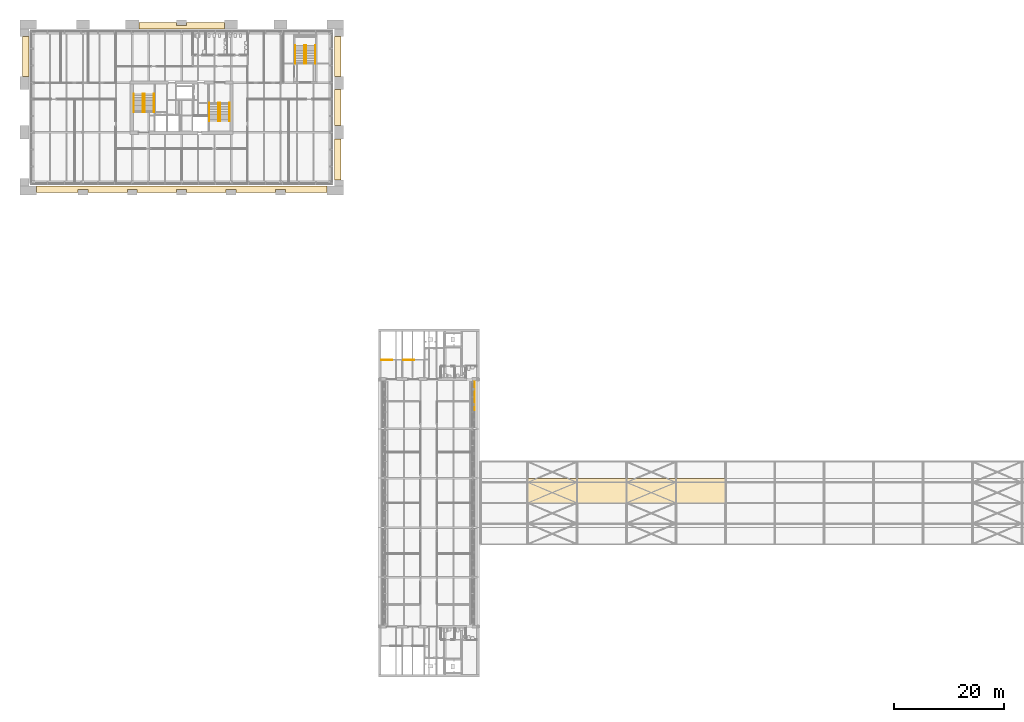
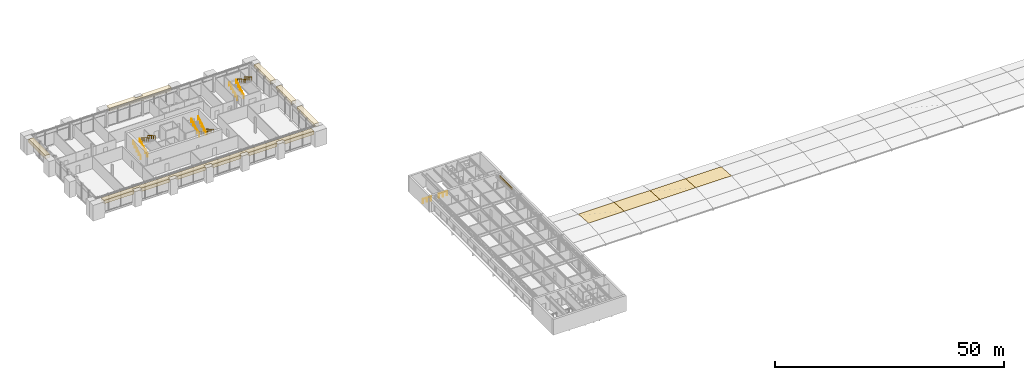
# One storey, part 39 of 43: 14 railings, 10 coverings, 2 shading devices.
"""IFC4 building model written with IfcOpenShell, lengths in metres."""

from ifc_helpers import new_model, si_unit, direction, frame, origin, origin_2d, place, context, subcontext, project, spatial, polyline, circle, outline, extrude, material, layer, layer_set, type_object, element, save


model = new_model("IFC4")

# Units and contexts
model_context = context("Model", 3, precision=1e-05, world=origin(), true_north=direction((0.0, 1.0)))
body_context = subcontext(model_context, "Body", "Model", "MODEL_VIEW")
ifc_project = project(units=[si_unit("LENGTHUNIT", "METRE"), si_unit("AREAUNIT", "SQUARE_METRE"), si_unit("VOLUMEUNIT", "CUBIC_METRE"), si_unit("PLANEANGLEUNIT", "RADIAN"), si_unit("MASSUNIT", "GRAM", prefix="KILO")], contexts=[model_context])

# Site, building, storey
site_placement = place(None, origin())
site = spatial("IfcSite", under=ifc_project, at=site_placement, CompositionType="ELEMENT")
building_placement = place(site_placement, origin())
building = spatial("IfcBuilding", under=site, at=building_placement, Name="Baradari Gate Terminus", CompositionType="ELEMENT")
storey_placement = place(building_placement, frame((0.0, 0.0, 20.10009765625)))
storey = spatial("IfcBuildingStorey", under=building, at=storey_placement, Name="L04", CompositionType="ELEMENT", Elevation=20.10009765625)

# Railings
ifc_material_1 = material(Name="Stainless steel 1.4301", Category="steel")
railing_type_1 = type_object("IfcRailingType", Name="Guard GR-1 1100", PredefinedType="GUARDRAIL", material=ifc_material_1)
for number, where, name in (
    (1, (72.35009765625, 84.550048828125, 0.0), "Stair guard ST-GN1 at L04 top landing"),
    (2, (76.35009765625, 84.550048828125, 0.0), "Stair guard ST-GN2 at L04 top landing"),
):
    element("IfcRailing", number, at=place(storey_placement, frame(where)), inside=storey, type_object=railing_type_1, Name=name, PredefinedType="GUARDRAIL", context=body_context, shape_type="SweptSolid", body=[
        extrude(circle(Radius=0.02392578125, at=origin_2d()), frame((0.0, 0.0, 1.076171875), z_axis=(1.0, 0.0, 0.0), x_axis=(0.0, 1.0, 0.0)), (0.0, 0.0, 1.0), 2.010009765625),
        extrude(circle(Radius=0.02099609375, at=origin_2d()), origin(), (0.0, 0.0, 1.0), 1.052001953125),
        extrude(circle(Radius=0.02099609375, at=origin_2d()), frame((1.0048828125, 0.0, 0.0)), (0.0, 0.0, 1.0), 1.052001953125),
        extrude(circle(Radius=0.02099609375, at=origin_2d()), frame((2.010009765625, 0.0, 0.0)), (0.0, 0.0, 1.0), 1.052001953125),
    ])
ifc_material_2 = material(Name="Stainless steel 1.4301", Category="steel")
railing_type_2 = type_object("IfcRailingType", Name="Handrail HR-1 900", PredefinedType="HANDRAIL", material=ifc_material_2)
for number, where, name in (
    (3, (27.284912109375, 129.675048828125, 0.1748046875), "Handrail ST-T1 L04 flight 1"),
    (4, (28.965087890625, 129.675048828125, 0.1748046875), "Handrail ST-T1 L04 flight 1"),
):
    element("IfcRailing", number, at=place(storey_placement, frame(where)), inside=storey, type_object=railing_type_2, Name=name, PredefinedType="HANDRAIL", context=body_context, shape_type="SweptSolid", body=[
        extrude(circle(Radius=0.02392578125, at=origin_2d()), frame((0.0, 0.0, 0.8759765625), z_axis=(0.0, 0.863776583165, 0.503874998761), x_axis=(-1.0, 0.0, 0.0)), (0.0, 0.0, 1.0), 3.820556640625),
        extrude(circle(Radius=0.02099609375, at=origin_2d()), origin(), (0.0, 0.0, 1.0), 0.851806640625),
        extrude(circle(Radius=0.02099609375, at=origin_2d()), frame((0.0, 0.824951171875, 0.481201171875)), (0.0, 0.0, 1.0), 0.851806640625),
        extrude(circle(Radius=0.02099609375, at=origin_2d()), frame((0.0, 1.64990234375, 0.96240234375)), (0.0, 0.0, 1.0), 0.851806640625),
        extrude(circle(Radius=0.02099609375, at=origin_2d()), frame((0.0, 2.47509765625, 1.44384765625)), (0.0, 0.0, 1.0), 0.851806640625),
        extrude(circle(Radius=0.02099609375, at=origin_2d()), frame((0.0, 3.300048828125, 1.925048828125)), (0.0, 0.0, 1.0), 0.851806640625),
    ])
for number, where, name in (
    (5, (29.284912109375, 132.97509765625, 2.27490234375), "Handrail ST-T1 L04 flight 2"),
    (6, (30.965087890625, 132.97509765625, 2.27490234375), "Handrail ST-T1 L04 flight 2"),
    (7, (44.715087890625, 131.324951171875, 0.1748046875), "Handrail ST-T2 L04 flight 1"),
    (8, (43.034912109375, 131.324951171875, 0.1748046875), "Handrail ST-T2 L04 flight 1"),
):
    element("IfcRailing", number, at=place(storey_placement, frame(where)), inside=storey, type_object=railing_type_2, Name=name, PredefinedType="HANDRAIL", context=body_context, shape_type="SweptSolid", body=[
        extrude(circle(Radius=0.02392578125, at=origin_2d()), frame((0.0, 0.0, 0.8759765625), z_axis=(0.0, -0.863776583165, 0.503874998761), x_axis=(1.0, 0.0, 0.0)), (0.0, 0.0, 1.0), 3.820556640625),
        extrude(circle(Radius=0.02099609375, at=origin_2d()), origin(), (0.0, 0.0, 1.0), 0.851806640625),
        extrude(circle(Radius=0.02099609375, at=origin_2d()), frame((0.0, -0.824951171875, 0.481201171875)), (0.0, 0.0, 1.0), 0.851806640625),
        extrude(circle(Radius=0.02099609375, at=origin_2d()), frame((0.0, -1.64990234375, 0.96240234375)), (0.0, 0.0, 1.0), 0.851806640625),
        extrude(circle(Radius=0.02099609375, at=origin_2d()), frame((0.0, -2.47509765625, 1.44384765625)), (0.0, 0.0, 1.0), 0.851806640625),
        extrude(circle(Radius=0.02099609375, at=origin_2d()), frame((0.0, -3.300048828125, 1.925048828125)), (0.0, 0.0, 1.0), 0.851806640625),
    ])
for number, where, name in (
    (9, (42.715087890625, 128.02490234375, 2.27490234375), "Handrail ST-T2 L04 flight 2"),
    (10, (41.034912109375, 128.02490234375, 2.27490234375), "Handrail ST-T2 L04 flight 2"),
    (11, (56.659912109375, 138.5, 0.1748046875), "Handrail ST-T3 L04 flight 1"),
    (12, (58.340087890625, 138.5, 0.1748046875), "Handrail ST-T3 L04 flight 1"),
):
    element("IfcRailing", number, at=place(storey_placement, frame(where)), inside=storey, type_object=railing_type_2, Name=name, PredefinedType="HANDRAIL", context=body_context, shape_type="SweptSolid", body=[
        extrude(circle(Radius=0.02392578125, at=origin_2d()), frame((0.0, 0.0, 0.8759765625), z_axis=(0.0, 0.863776583165, 0.503874998761), x_axis=(-1.0, 0.0, 0.0)), (0.0, 0.0, 1.0), 3.820556640625),
        extrude(circle(Radius=0.02099609375, at=origin_2d()), origin(), (0.0, 0.0, 1.0), 0.851806640625),
        extrude(circle(Radius=0.02099609375, at=origin_2d()), frame((0.0, 0.824951171875, 0.481201171875)), (0.0, 0.0, 1.0), 0.851806640625),
        extrude(circle(Radius=0.02099609375, at=origin_2d()), frame((0.0, 1.64990234375, 0.96240234375)), (0.0, 0.0, 1.0), 0.851806640625),
        extrude(circle(Radius=0.02099609375, at=origin_2d()), frame((0.0, 2.47509765625, 1.44384765625)), (0.0, 0.0, 1.0), 0.851806640625),
        extrude(circle(Radius=0.02099609375, at=origin_2d()), frame((0.0, 3.300048828125, 1.925048828125)), (0.0, 0.0, 1.0), 0.851806640625),
    ])
for number, where, name in (
    (13, (58.659912109375, 141.800048828125, 2.27490234375), "Handrail ST-T3 L04 flight 2"),
    (14, (60.340087890625, 141.800048828125, 2.27490234375), "Handrail ST-T3 L04 flight 2"),
):
    element("IfcRailing", number, at=place(storey_placement, frame(where)), inside=storey, type_object=railing_type_2, Name=name, PredefinedType="HANDRAIL", context=body_context, shape_type="SweptSolid", body=[
        extrude(circle(Radius=0.02392578125, at=origin_2d()), frame((0.0, 0.0, 0.8759765625), z_axis=(0.0, -0.863776583165, 0.503874998761), x_axis=(1.0, 0.0, 0.0)), (0.0, 0.0, 1.0), 3.820556640625),
        extrude(circle(Radius=0.02099609375, at=origin_2d()), origin(), (0.0, 0.0, 1.0), 0.851806640625),
        extrude(circle(Radius=0.02099609375, at=origin_2d()), frame((0.0, -0.824951171875, 0.481201171875)), (0.0, 0.0, 1.0), 0.851806640625),
        extrude(circle(Radius=0.02099609375, at=origin_2d()), frame((0.0, -1.64990234375, 0.96240234375)), (0.0, 0.0, 1.0), 0.851806640625),
        extrude(circle(Radius=0.02099609375, at=origin_2d()), frame((0.0, -2.47509765625, 1.44384765625)), (0.0, 0.0, 1.0), 0.851806640625),
        extrude(circle(Radius=0.02099609375, at=origin_2d()), frame((0.0, -3.300048828125, 1.925048828125)), (0.0, 0.0, 1.0), 0.851806640625),
    ])

# Shading devices
ifc_material_3 = material(Name="Concrete C50/60 precast", Category="concrete")
ifc_layer_1 = layer(ifc_material_3, 0.080078125)
ifc_layer_set_1 = layer_set([ifc_layer_1], Name="Concrete C50/60 precast")
shading_device_type = type_object("IfcShadingDeviceType", Name="Jali screen panel JS-3 80", PredefinedType="SHUTTER", material=ifc_layer_set_1)
shading_device_1_placement = place(storey_placement, frame((89.340087890625, 75.05322265625, 3.27978515625), z_axis=(0.0, 0.0, 1.0), x_axis=(0.0, 1.0, 0.0)))
element("IfcShadingDevice", 15, at=shading_device_1_placement, inside=storey, type_object=shading_device_type, Name="Jali screen panel JS-1 L04/GE5 bay 2", PredefinedType="SHUTTER", context=body_context, shape_type="SweptSolid", body=[
    extrude(outline(polyline([(0.0, 0.0), (2.743408203125, 0.0), (2.743408203125, 0.60009765625), (0.0, 0.60009765625), (0.0, 0.0)]), holes=[polyline([(0.325927734375, 0.300048828125), (0.260986328125, 0.1875), (0.130859375, 0.1875), (0.06591796875, 0.300048828125), (0.130859375, 0.41259765625), (0.260986328125, 0.41259765625), (0.325927734375, 0.300048828125)]), polyline([(0.7177734375, 0.300048828125), (0.65283203125, 0.1875), (0.52294921875, 0.1875), (0.457763671875, 0.300048828125), (0.52294921875, 0.41259765625), (0.65283203125, 0.41259765625), (0.7177734375, 0.300048828125)]), polyline([(1.10986328125, 0.300048828125), (1.044677734375, 0.1875), (0.914794921875, 0.1875), (0.849853515625, 0.300048828125), (0.914794921875, 0.41259765625), (1.044677734375, 0.41259765625), (1.10986328125, 0.300048828125)]), polyline([(1.501708984375, 0.300048828125), (1.436767578125, 0.1875), (1.306640625, 0.1875), (1.24169921875, 0.300048828125), (1.306640625, 0.41259765625), (1.436767578125, 0.41259765625), (1.501708984375, 0.300048828125)]), polyline([(1.8935546875, 0.300048828125), (1.82861328125, 0.1875), (1.698486328125, 0.1875), (1.633544921875, 0.300048828125), (1.698486328125, 0.41259765625), (1.82861328125, 0.41259765625), (1.8935546875, 0.300048828125)]), polyline([(2.285400390625, 0.300048828125), (2.220458984375, 0.1875), (2.090576171875, 0.1875), (2.025390625, 0.300048828125), (2.090576171875, 0.41259765625), (2.220458984375, 0.41259765625), (2.285400390625, 0.300048828125)]), polyline([(2.677490234375, 0.300048828125), (2.6123046875, 0.1875), (2.482421875, 0.1875), (2.41748046875, 0.300048828125), (2.482421875, 0.41259765625), (2.6123046875, 0.41259765625), (2.677490234375, 0.300048828125)])]), frame((0.0, 0.0400390625, 0.0), z_axis=(0.0, -1.0, 0.0), x_axis=(1.0, 0.0, 0.0)), (0.0, 0.0, 1.0), 0.080078125),
])
shading_device_2_placement = place(storey_placement, frame((89.340087890625, 77.836669921875, 3.27978515625), z_axis=(0.0, 0.0, 1.0), x_axis=(0.0, 1.0, 0.0)))
element("IfcShadingDevice", 16, at=shading_device_2_placement, inside=storey, type_object=shading_device_type, Name="Jali screen panel JS-1 L04/GE5 bay 3", PredefinedType="SHUTTER", context=body_context, shape_type="SweptSolid", body=[
    extrude(outline(polyline([(0.0, 0.0), (2.723388671875, 0.0), (2.723388671875, 0.60009765625), (0.0, 0.60009765625), (0.0, 0.0)]), holes=[polyline([(0.35693359375, 0.300048828125), (0.2919921875, 0.1875), (0.161865234375, 0.1875), (0.096923828125, 0.300048828125), (0.161865234375, 0.41259765625), (0.2919921875, 0.41259765625), (0.35693359375, 0.300048828125)]), polyline([(0.810791015625, 0.300048828125), (0.745849609375, 0.1875), (0.61572265625, 0.1875), (0.55078125, 0.300048828125), (0.61572265625, 0.41259765625), (0.745849609375, 0.41259765625), (0.810791015625, 0.300048828125)]), polyline([(1.2646484375, 0.300048828125), (1.19970703125, 0.1875), (1.06982421875, 0.1875), (1.004638671875, 0.300048828125), (1.06982421875, 0.41259765625), (1.19970703125, 0.41259765625), (1.2646484375, 0.300048828125)]), polyline([(1.718505859375, 0.300048828125), (1.653564453125, 0.1875), (1.523681640625, 0.1875), (1.45849609375, 0.300048828125), (1.523681640625, 0.41259765625), (1.653564453125, 0.41259765625), (1.718505859375, 0.300048828125)]), polyline([(2.172607421875, 0.300048828125), (2.107421875, 0.1875), (1.9775390625, 0.1875), (1.91259765625, 0.300048828125), (1.9775390625, 0.41259765625), (2.107421875, 0.41259765625), (2.172607421875, 0.300048828125)]), polyline([(2.62646484375, 0.300048828125), (2.561279296875, 0.1875), (2.431396484375, 0.1875), (2.366455078125, 0.300048828125), (2.431396484375, 0.41259765625), (2.561279296875, 0.41259765625), (2.62646484375, 0.300048828125)])]), frame((0.0, 0.0400390625, 0.0), z_axis=(0.0, -1.0, 0.0), x_axis=(1.0, 0.0, 0.0)), (0.0, 0.0, 1.0), 0.080078125),
])

# Coverings
ifc_material_4 = material(Name="Laminated glass", Category="glass")
ifc_layer_2 = layer(ifc_material_4, 0.030029296875)
ifc_layer_set_2 = layer_set([ifc_layer_2], Name="Laminated glass")
covering_type_1 = type_object("IfcCoveringType", Name="Shed ridge rooflight glazing", PredefinedType="ROOFING", material=ifc_layer_set_2)
for number, where, z_axis, x_axis, name in (
    (17, (99.0, 58.5, 1.13232421875), (0.0, 0.066291615182, 0.99780029152), (1.0, 0.0, 0.0), "RF/L04/B108-RG06"),
    (18, (108.0, 58.5, 1.13232421875), (0.0, 0.066291615182, 0.99780029152), (1.0, 0.0, 0.0), "RF/L04/B117-RG06"),
    (19, (117.0, 58.5, 1.13232421875), (0.0, 0.066291615182, 0.99780029152), (1.0, 0.0, 0.0), "RF/L04/B126-RG06"),
    (20, (126.0, 58.5, 1.13232421875), (0.0, 0.066291615182, 0.99780029152), (1.0, 0.0, 0.0), "RF/L04/B135-RG06"),
):
    element("IfcCovering", number, at=place(storey_placement, frame(where, z_axis=z_axis, x_axis=x_axis)), inside=storey, type_object=covering_type_1, Name=name, PredefinedType="ROOFING", context=body_context, shape_type="SweptSolid", body=[
        extrude(outline(polyline([(0.0, 0.0), (9.0, 0.0), (9.0, 4.489367487233433), (0.0, 4.489367487233433), (0.0, 0.0)])), origin(), (0.0, 0.0, -1.0), 0.030029296875),
    ])
ifc_material_5 = material(Name="Sandstone cladding", Category="masonry")
covering_type_2 = type_object("IfcCoveringType", Name="String course SC-1 1200x900", PredefinedType="CLADDING", material=ifc_material_5)
covering_1_placement = place(storey_placement, frame((0.0, 0.0, 3.2998046875)))
element("IfcCovering", 21, at=covering_1_placement, inside=storey, type_object=covering_type_2, Name="String course SC-1 1", PredefinedType="CLADDING", context=body_context, shape_type="SweptSolid", body=[
    extrude(outline(polyline([(54.89990234375, 115.0048828125), (54.89990234375, 115.554931640625), (53.10009765625, 115.554931640625), (53.10009765625, 115.0048828125), (45.89990234375, 115.0048828125), (45.89990234375, 115.554931640625), (44.10009765625, 115.554931640625), (44.10009765625, 115.0048828125), (36.89990234375, 115.0048828125), (36.89990234375, 115.554931640625), (35.10009765625, 115.554931640625), (35.10009765625, 115.0048828125), (27.89990234375, 115.0048828125), (27.89990234375, 115.554931640625), (26.10009765625, 115.554931640625), (26.10009765625, 115.0048828125), (18.89990234375, 115.0048828125), (18.89990234375, 115.554931640625), (17.10009765625, 115.554931640625), (17.10009765625, 115.0048828125), (9.554931640625, 115.0048828125), (9.554931640625, 116.205078125), (62.445068359375, 116.205078125), (62.445068359375, 115.0048828125), (54.89990234375, 115.0048828125)])), origin(), (0.0, 0.0, 1.0), 0.900146484375),
])
covering_2_placement = place(storey_placement, frame((0.0, 0.0, 3.2998046875)))
element("IfcCovering", 22, at=covering_2_placement, inside=storey, type_object=covering_type_2, Name="String course SC-1 2", PredefinedType="CLADDING", context=body_context, shape_type="SweptSolid", body=[
    extrude(outline(polyline([(64.9951171875, 117.304931640625), (63.794921875, 117.304931640625), (63.794921875, 124.800048828125), (64.9951171875, 124.800048828125), (64.9951171875, 117.304931640625)])), origin(), (0.0, 0.0, 1.0), 0.900146484375),
])
covering_3_placement = place(storey_placement, frame((0.0, 0.0, 3.2998046875)))
element("IfcCovering", 23, at=covering_3_placement, inside=storey, type_object=covering_type_2, Name="String course SC-1 3", PredefinedType="CLADDING", context=body_context, shape_type="SweptSolid", body=[
    extrude(outline(polyline([(7.0048828125, 124.800048828125), (8.205078125, 124.800048828125), (8.205078125, 127.199951171875), (7.0048828125, 127.199951171875), (7.0048828125, 133.800048828125), (8.205078125, 133.800048828125), (8.205078125, 136.199951171875), (7.0048828125, 136.199951171875), (7.0048828125, 143.445068359375), (8.205078125, 143.445068359375), (8.205078125, 117.554931640625), (7.0048828125, 117.554931640625), (7.0048828125, 124.800048828125)])), origin(), (0.0, 0.0, 1.0), 0.900146484375),
])
covering_4_placement = place(storey_placement, frame((0.0, 0.0, 3.2998046875)))
element("IfcCovering", 24, at=covering_4_placement, inside=storey, type_object=covering_type_2, Name="String course SC-1 4", PredefinedType="CLADDING", context=body_context, shape_type="SweptSolid", body=[
    extrude(outline(polyline([(64.9951171875, 127.199951171875), (63.794921875, 127.199951171875), (63.794921875, 133.800048828125), (64.9951171875, 133.800048828125), (64.9951171875, 127.199951171875)])), origin(), (0.0, 0.0, 1.0), 0.900146484375),
])
covering_5_placement = place(storey_placement, frame((0.0, 0.0, 3.2998046875)))
element("IfcCovering", 25, at=covering_5_placement, inside=storey, type_object=covering_type_2, Name="String course SC-1 5", PredefinedType="CLADDING", context=body_context, shape_type="SweptSolid", body=[
    extrude(outline(polyline([(64.9951171875, 136.199951171875), (63.794921875, 136.199951171875), (63.794921875, 143.445068359375), (64.9951171875, 143.445068359375), (64.9951171875, 136.199951171875)])), origin(), (0.0, 0.0, 1.0), 0.900146484375),
])
covering_6_placement = place(storey_placement, frame((0.0, 0.0, 3.2998046875)))
element("IfcCovering", 26, at=covering_6_placement, inside=storey, type_object=covering_type_2, Name="String course SC-1 6", PredefinedType="CLADDING", context=body_context, shape_type="SweptSolid", body=[
    extrude(outline(polyline([(16.800048828125, 145.9951171875), (16.800048828125, 144.794921875), (19.199951171875, 144.794921875), (19.199951171875, 145.9951171875), (25.800048828125, 145.9951171875), (25.800048828125, 144.794921875), (28.199951171875, 144.794921875), (28.199951171875, 145.9951171875), (35.10009765625, 145.9951171875), (35.10009765625, 145.445068359375), (36.89990234375, 145.445068359375), (36.89990234375, 145.9951171875), (43.800048828125, 145.9951171875), (43.800048828125, 144.794921875), (46.199951171875, 144.794921875), (46.199951171875, 145.9951171875), (52.800048828125, 145.9951171875), (52.800048828125, 144.794921875), (55.199951171875, 144.794921875), (55.199951171875, 145.9951171875), (62.445068359375, 145.9951171875), (62.445068359375, 144.794921875), (9.554931640625, 144.794921875), (9.554931640625, 145.9951171875), (16.800048828125, 145.9951171875)])), origin(), (0.0, 0.0, 1.0), 0.900146484375),
])

save(model, "model.ifc")
